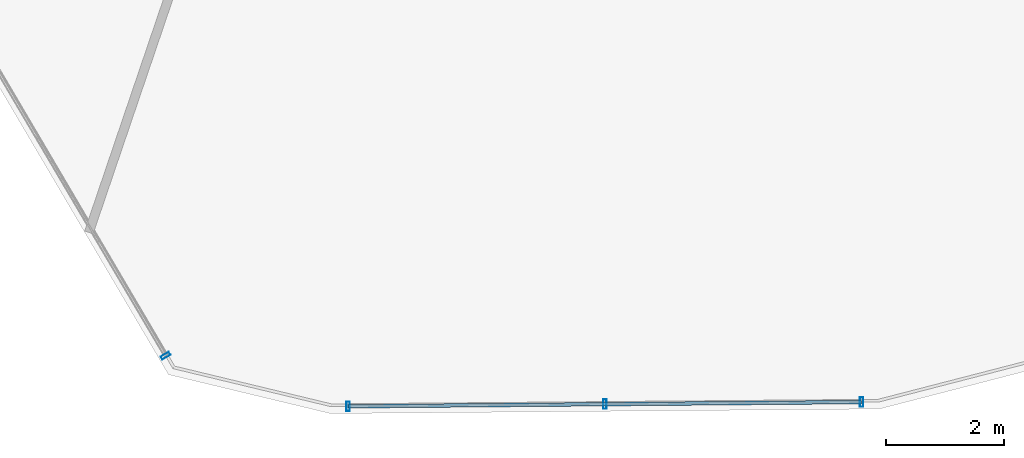
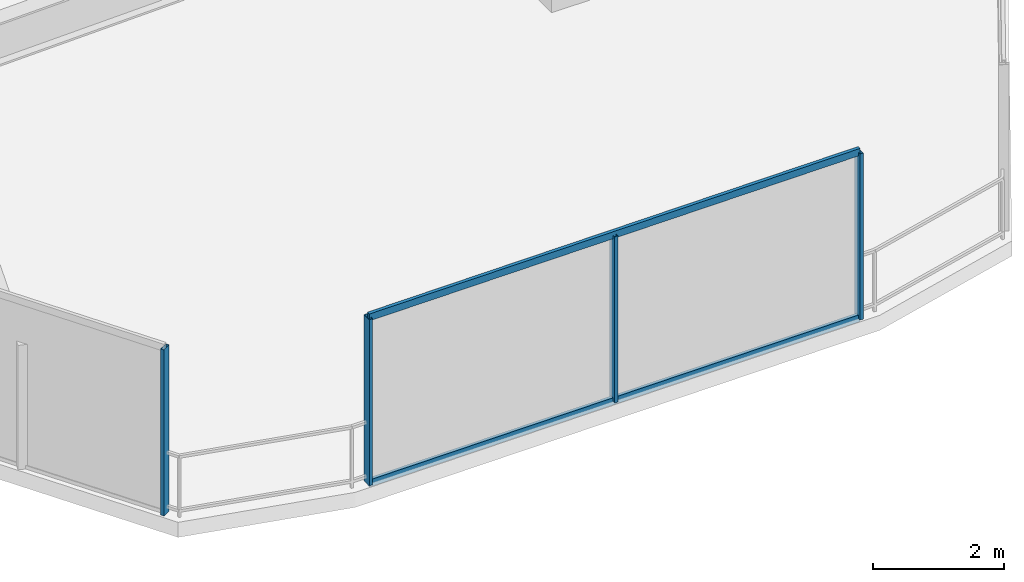
# One storey, part 5 of 31: 6 members, 2 elements without a shape of their own.
"""IFC4 building model written with IfcOpenShell, lengths in metres."""

from ifc_helpers import new_model, si_unit, direction, frame, origin, origin_2d, place, context, subcontext, project, spatial, hollow_rectangle, extrude, material, layer, layer_set, material_profile, profile_set, type_object, element, aggregate, save


model = new_model("IFC4")

# Units and contexts
model_context = context("Model", 3, precision=1e-05, world=origin(), true_north=direction((0.0, 1.0)))
body_context = subcontext(model_context, "Body", "Model", "MODEL_VIEW")
ifc_project = project(units=[si_unit("LENGTHUNIT", "METRE"), si_unit("AREAUNIT", "SQUARE_METRE"), si_unit("VOLUMEUNIT", "CUBIC_METRE"), si_unit("PLANEANGLEUNIT", "RADIAN"), si_unit("MASSUNIT", "GRAM", prefix="KILO")], contexts=[model_context])

# Site, building, storey
site_placement = place(None, origin())
site = spatial("IfcSite", under=ifc_project, at=site_placement, CompositionType="ELEMENT")
building_placement = place(site_placement, origin())
building = spatial("IfcBuilding", under=site, at=building_placement, Name="Qarnah Convention Tower", CompositionType="ELEMENT")
storey_placement = place(building_placement, frame((0.0, 0.0, 68.39990234375)))
storey = spatial("IfcBuildingStorey", under=building, at=storey_placement, Name="L17", CompositionType="ELEMENT", Elevation=68.39990234375)

# Curtain wall, member
ifc_material_1 = material(Name="Tempered Low-E dark glass", Category="glass")
ifc_layer = layer(ifc_material_1, 0.16796875)
ifc_layer_set = layer_set([ifc_layer], Name="Tempered Low-E dark glass")
curtain_wall_type = type_object("IfcCurtainWallType", Name="CWS-01", PredefinedType="NOTDEFINED", material=ifc_layer_set)
curtain_wall_1_placement = place(storey_placement, origin())
curtain_wall_1 = element("IfcCurtainWall", 1, at=curtain_wall_1_placement, inside=storey, type_object=curtain_wall_type, Name="L17 unitised curtain wall CW-L17-F3", PredefinedType="NOTDEFINED")
ifc_material_2 = material(Name="Black anodised aluminium", Category="aluminium")
ifc_material_profile_1 = material_profile(ifc_material_2, hollow_rectangle(XDim=0.06005859375, YDim=0.159912109375, WallThickness=0.00390625, at=origin_2d()), Name="MUL-60X160")
ifc_profile_set_1 = profile_set([ifc_material_profile_1], Name="Black anodised aluminium")
member_type_1 = type_object("IfcMemberType", Name="MUL-T1", PredefinedType="MULLION", material=ifc_profile_set_1)
member_1_placement = place(storey_placement, frame((30.9990234375, 1.842041015625, 0.0), z_axis=(0.0, 0.0, 1.0), x_axis=(-0.507221231725, 0.861815886421, 0.0)))
member_1 = element("IfcMember", 2, at=member_1_placement, type_object=member_type_1, Name="CW-L17-F3 mullion 1", PredefinedType="MULLION", context=body_context, shape_type="SweptSolid", body=[
    extrude(hollow_rectangle(XDim=0.06005859375, YDim=0.159912109375, WallThickness=0.00390625, at=origin_2d()), origin(), (0.0, 0.0, 1.0), 3.090087890625),
])
aggregate(curtain_wall_1, [member_1])

# Curtain wall, members
curtain_wall_2_placement = place(storey_placement, origin())
curtain_wall_2 = element("IfcCurtainWall", 3, at=curtain_wall_2_placement, inside=storey, type_object=curtain_wall_type, Name="L17 unitised curtain wall CW-L17-F4", PredefinedType="NOTDEFINED")
member_2_placement = place(storey_placement, frame((42.764892578125, 1.05908203125, 0.0), z_axis=(0.0, 0.0, 1.0), x_axis=(-0.999965590965, -0.008295594412, 0.0)))
member_2 = element("IfcMember", 4, at=member_2_placement, type_object=member_type_1, Name="CW-L17-F4 mullion 1", PredefinedType="MULLION", context=body_context, shape_type="SweptSolid", body=[
    extrude(hollow_rectangle(XDim=0.06005859375, YDim=0.159912109375, WallThickness=0.00390625, at=origin_2d()), origin(), (0.0, 0.0, 1.0), 3.090087890625),
])
member_3_placement = place(storey_placement, frame((38.425537109375, 1.02294921875, 0.0), z_axis=(0.0, 0.0, 1.0), x_axis=(-0.999965590965, -0.008295594412, 0.0)))
member_3 = element("IfcMember", 5, at=member_3_placement, type_object=member_type_1, Name="CW-L17-F4 mullion 2", PredefinedType="MULLION", context=body_context, shape_type="SweptSolid", body=[
    extrude(hollow_rectangle(XDim=0.06005859375, YDim=0.159912109375, WallThickness=0.00390625, at=origin_2d()), origin(), (0.0, 0.0, 1.0), 3.090087890625),
])
member_4_placement = place(storey_placement, frame((34.0859375, 0.987060546875, 0.0), z_axis=(0.0, 0.0, 1.0), x_axis=(-0.999965590965, -0.008295594412, 0.0)))
member_4 = element("IfcMember", 6, at=member_4_placement, type_object=member_type_1, Name="CW-L17-F4 mullion 3", PredefinedType="MULLION", context=body_context, shape_type="SweptSolid", body=[
    extrude(hollow_rectangle(XDim=0.06005859375, YDim=0.159912109375, WallThickness=0.00390625, at=origin_2d()), origin(), (0.0, 0.0, 1.0), 3.090087890625),
])
ifc_material_profile_2 = material_profile(ifc_material_2, hollow_rectangle(XDim=0.06005859375, YDim=0.1298828125, WallThickness=0.00390625, at=origin_2d()), Name="TRN-60X130")
ifc_profile_set_2 = profile_set([ifc_material_profile_2], Name="Black anodised aluminium")
member_type_2 = type_object("IfcMemberType", Name="TRN-T1", PredefinedType="USERDEFINED", material=ifc_profile_set_2)
member_5_placement = place(storey_placement, frame((42.764892578125, 1.05908203125, 0.0), z_axis=(-0.999965570015, -0.008298119304, 0.0), x_axis=(0.008298119304, -0.999965570015, 0.0)))
member_5 = element("IfcMember", 7, at=member_5_placement, type_object=member_type_2, Name="CW-L17-F4 transom 1", ObjectType="TRANSOM", PredefinedType="USERDEFINED", context=body_context, shape_type="SweptSolid", body=[
    extrude(hollow_rectangle(XDim=0.06005859375, YDim=0.1298828125, WallThickness=0.00390625, at=origin_2d()), origin(), (0.0, 0.0, 1.0), 8.67919921875),
])
member_6_placement = place(storey_placement, frame((42.764892578125, 1.05908203125, 3.090087890625), z_axis=(-0.999965570015, -0.008298119304, 0.0), x_axis=(0.008298119304, -0.999965570015, 0.0)))
member_6 = element("IfcMember", 8, at=member_6_placement, type_object=member_type_2, Name="CW-L17-F4 transom 2", ObjectType="TRANSOM", PredefinedType="USERDEFINED", context=body_context, shape_type="SweptSolid", body=[
    extrude(hollow_rectangle(XDim=0.06005859375, YDim=0.1298828125, WallThickness=0.00390625, at=origin_2d()), origin(), (0.0, 0.0, 1.0), 8.67919921875),
])
aggregate(curtain_wall_2, [member_2, member_3, member_4, member_5, member_6])

save(model, "model.ifc")
